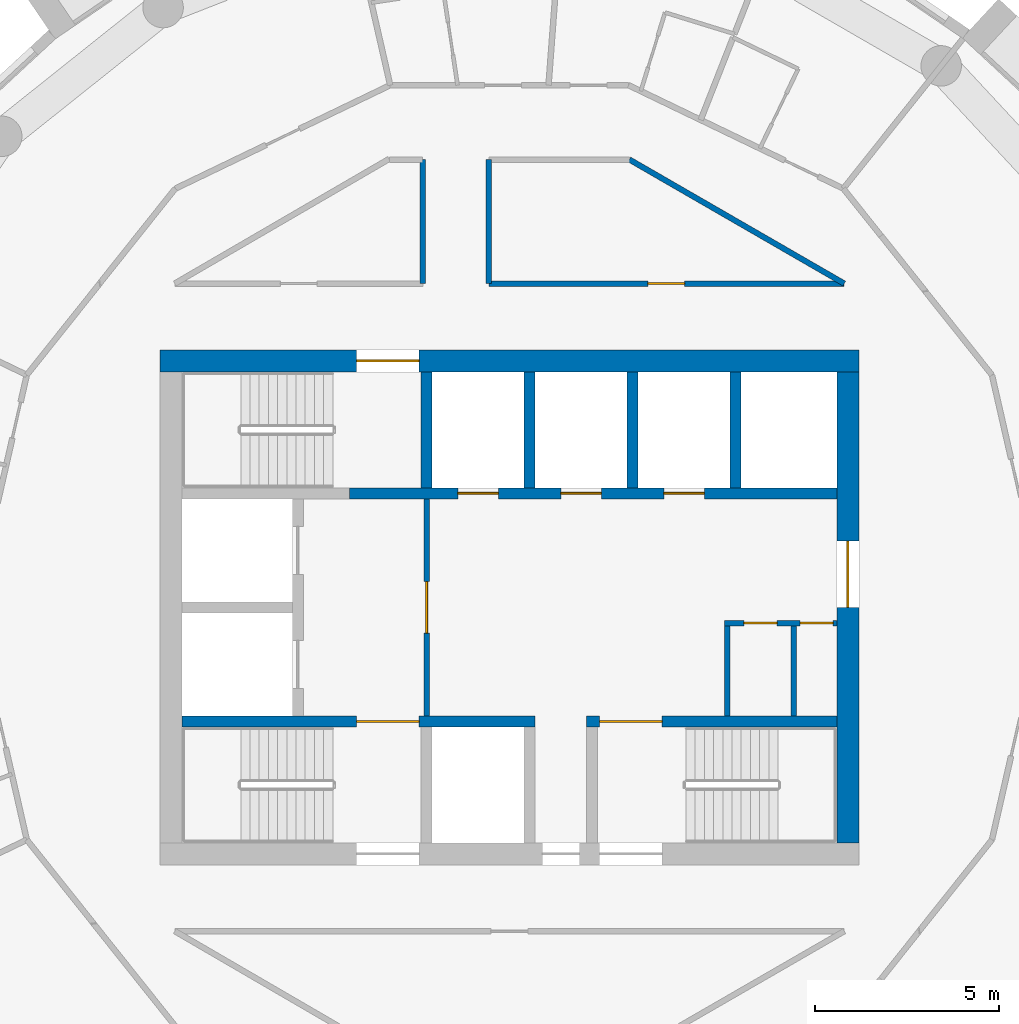
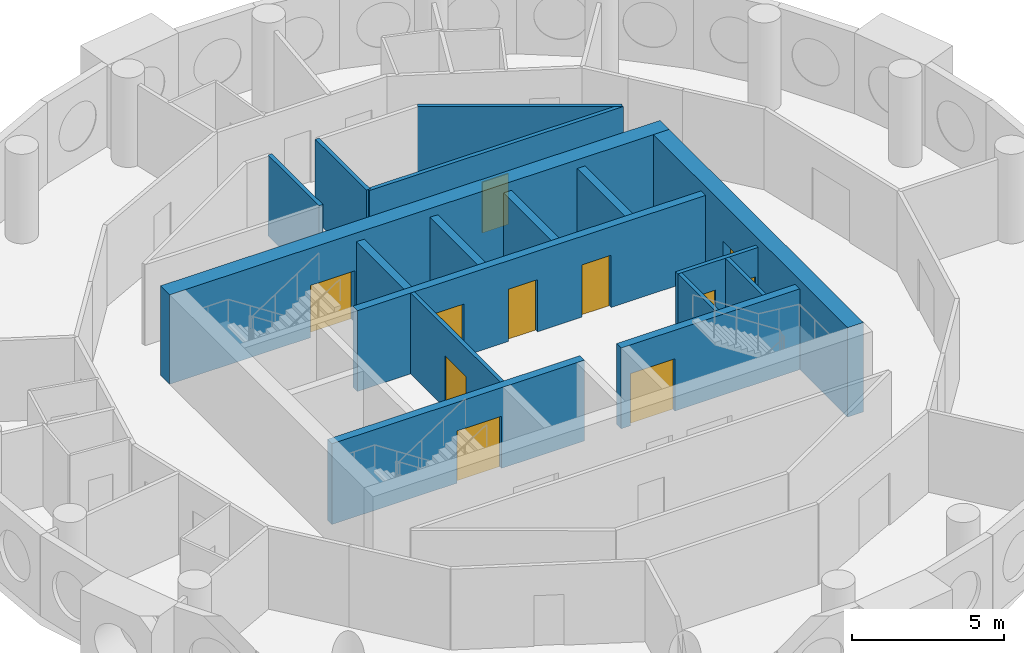
# One storey, part 7 of 12: 17 walls, 11 doors, 11 openings.
"""IFC4 building model written with IfcOpenShell, lengths in metres."""

from ifc_helpers import new_model, si_unit, direction, frame, frame_2d, origin, place, context, subcontext, project, spatial, rectangle, extrude, material, layer, layer_set, type_object, element, fill, save


model = new_model("IFC4")

# Units and contexts
model_context = context("Model", 3, precision=1e-05, world=origin(), true_north=direction((0.0, 1.0)))
body_context = subcontext(model_context, "Body", "Model", "MODEL_VIEW")
ifc_project = project(units=[si_unit("LENGTHUNIT", "METRE"), si_unit("AREAUNIT", "SQUARE_METRE"), si_unit("VOLUMEUNIT", "CUBIC_METRE"), si_unit("PLANEANGLEUNIT", "RADIAN"), si_unit("MASSUNIT", "GRAM", prefix="KILO")], contexts=[model_context])

# Site, building, storey
site_placement = place(None, origin())
site = spatial("IfcSite", under=ifc_project, at=site_placement, CompositionType="ELEMENT")
building_placement = place(site_placement, origin())
building = spatial("IfcBuilding", under=site, at=building_placement, Name="Tracery Tower", CompositionType="ELEMENT")
storey_placement = place(building_placement, frame((0.0, 0.0, 241.800048828125)))
storey = spatial("IfcBuildingStorey", under=building, at=storey_placement, Name="L62", CompositionType="ELEMENT", Elevation=241.800048828125)

# Wall, opening, door
ifc_material_1 = material(Name="Plasterboard on steel studs", Category="steel")
ifc_layer_1 = layer(ifc_material_1, 0.14990234375)
ifc_layer_set_1 = layer_set([ifc_layer_1], Name="Core lobby partition 150")
wall_type_1 = type_object("IfcWallType", Name="Core lobby partition 150", PredefinedType="SOLIDWALL", material=ifc_layer_set_1)
wall_1_placement = place(storey_placement, frame((-2.25, -2.949951171875, 0.0), z_axis=(0.0, 0.0, 1.0), x_axis=(0.0, 1.0, 0.0)))
wall_1 = element("IfcWall", 1, at=wall_1_placement, inside=storey, type_object=wall_type_1, Name="L62 FF lobby E", PredefinedType="SOLIDWALL", context=body_context, shape_type="SweptSolid", body=[
    extrude(rectangle(XDim=5.89990234375, YDim=0.14990234375, at=frame_2d((2.949951171875, 0.0))), origin(), (0.0, 0.0, 1.0), 3.25),
])
opening_1_placement = place(wall_1_placement, frame((2.25, 0.0, 0.0)))
opening_1 = element("IfcOpeningElement", 2, at=opening_1_placement, cuts=wall_1, Name="Opening KD8", PredefinedType="OPENING", context=body_context, shape_type="SweptSolid", body=[
    extrude(rectangle(XDim=1.39990234375, YDim=2.10009765625, at=frame_2d((0.699951171875, 1.050048828125))), frame((0.0, 0.074951171875, 0.0), z_axis=(0.0, -1.0, 0.0), x_axis=(1.0, 0.0, 0.0)), (0.0, 0.0, 1.0), 0.14990234375),
])
ifc_material_2 = material(Name="Steel fire door", Category="steel")
door_type_1 = type_object("IfcDoorType", Name="Core lobby door 1400 double", OperationType="NOTDEFINED", PredefinedType="DOOR", material=ifc_material_2)
door_1_placement = place(opening_1_placement, origin())
door_1 = element("IfcDoor", 3, at=door_1_placement, inside=storey, type_object=door_type_1, Name="Fire-fighting lobby door", OperationType="DOUBLE_DOOR_SINGLE_SWING", OverallHeight=2.10009765625, OverallWidth=1.39990234375, PredefinedType="DOOR", context=body_context, shape_type="SweptSolid", body=[
    extrude(rectangle(XDim=1.39990234375, YDim=2.10009765625, at=frame_2d((0.699951171875, 1.050048828125))), frame((0.0, 0.02490234375, 0.0), z_axis=(0.0, -1.0, 0.0), x_axis=(1.0, 0.0, 0.0)), (0.0, 0.0, 1.0), 0.050048828125),
])
fill(opening_1, door_1)

# Wall
ifc_material_3 = material(Name="Plasterboard on steel studs", Category="steel")
ifc_layer_2 = layer(ifc_material_3, 0.14990234375)
ifc_layer_set_2 = layer_set([ifc_layer_2], Name="Core room partition 150")
wall_type_2 = type_object("IfcWallType", Name="Core room partition 150", PredefinedType="SOLIDWALL", material=ifc_layer_set_2)
wall_2_placement = place(storey_placement, frame((5.925048828125, -2.949951171875, 0.0), z_axis=(0.0, 0.0, 1.0), x_axis=(0.0, 1.0, 0.0)))
element("IfcWall", 4, at=wall_2_placement, inside=storey, type_object=wall_type_2, Name="L62 slot W", PredefinedType="SOLIDWALL", context=body_context, shape_type="SweptSolid", body=[
    extrude(rectangle(XDim=2.449951171875, YDim=0.14990234375, at=frame_2d((1.22509765625, 0.0))), origin(), (0.0, 0.0, 1.0), 3.25),
])

# Wall, openings, doors
wall_3_placement = place(storey_placement, frame((5.85009765625, -0.425048828125, 0.0), z_axis=(0.0, 0.0, 1.0), x_axis=(1.0, 0.0, 0.0)))
wall_3 = element("IfcWall", 5, at=wall_3_placement, inside=storey, type_object=wall_type_2, Name="L62 slot N", PredefinedType="SOLIDWALL", context=body_context, shape_type="SweptSolid", body=[
    extrude(rectangle(XDim=3.0498046875, YDim=0.14990234375, at=frame_2d((1.52490234375, 0.0))), origin(), (0.0, 0.0, 1.0), 3.25),
])
opening_2_placement = place(wall_3_placement, frame((0.52490234375, 0.0, 0.0)))
opening_2 = element("IfcOpeningElement", 6, at=opening_2_placement, cuts=wall_3, Name="Opening KD22", PredefinedType="OPENING", context=body_context, shape_type="SweptSolid", body=[
    extrude(rectangle(XDim=0.89990234375, YDim=2.10009765625, at=frame_2d((0.449951171875, 1.050048828125))), frame((0.0, 0.074951171875, 0.0), z_axis=(0.0, -1.0, 0.0), x_axis=(1.0, 0.0, 0.0)), (0.0, 0.0, 1.0), 0.14990234375),
])
opening_3_placement = place(wall_3_placement, frame((2.050048828125, 0.0, 0.0)))
opening_3 = element("IfcOpeningElement", 7, at=opening_3_placement, cuts=wall_3, Name="Opening KD26", PredefinedType="OPENING", context=body_context, shape_type="SweptSolid", body=[
    extrude(rectangle(XDim=0.89990234375, YDim=2.10009765625, at=frame_2d((0.449951171875, 1.050048828125))), frame((0.0, 0.074951171875, 0.0), z_axis=(0.0, -1.0, 0.0), x_axis=(1.0, 0.0, 0.0)), (0.0, 0.0, 1.0), 0.14990234375),
])
ifc_material_4 = material(Name="Timber door leaf", Category="wood")
door_type_2 = type_object("IfcDoorType", Name="Core WC door 900", OperationType="NOTDEFINED", PredefinedType="DOOR", material=ifc_material_4)
door_2_placement = place(opening_2_placement, origin())
door_2 = element("IfcDoor", 8, at=door_2_placement, inside=storey, type_object=door_type_2, Name="Core door", OperationType="SINGLE_SWING_RIGHT", OverallHeight=2.10009765625, OverallWidth=0.89990234375, PredefinedType="DOOR", context=body_context, shape_type="SweptSolid", body=[
    extrude(rectangle(XDim=0.89990234375, YDim=2.10009765625, at=frame_2d((0.449951171875, 1.050048828125))), frame((0.0, 0.02490234375, 0.0), z_axis=(0.0, -1.0, 0.0), x_axis=(1.0, 0.0, 0.0)), (0.0, 0.0, 1.0), 0.050048828125),
])
fill(opening_2, door_2)
ifc_material_5 = material(Name="Timber door leaf", Category="wood")
door_type_3 = type_object("IfcDoorType", Name="Core store door 900", OperationType="NOTDEFINED", PredefinedType="DOOR", material=ifc_material_5)
door_3_placement = place(opening_3_placement, origin())
door_3 = element("IfcDoor", 9, at=door_3_placement, inside=storey, type_object=door_type_3, Name="Core door", OperationType="SINGLE_SWING_LEFT", OverallHeight=2.10009765625, OverallWidth=0.89990234375, PredefinedType="DOOR", context=body_context, shape_type="SweptSolid", body=[
    extrude(rectangle(XDim=0.89990234375, YDim=2.10009765625, at=frame_2d((0.449951171875, 1.050048828125))), frame((0.0, 0.02490234375, 0.0), z_axis=(0.0, -1.0, 0.0), x_axis=(1.0, 0.0, 0.0)), (0.0, 0.0, 1.0), 0.050048828125),
])
fill(opening_3, door_3)

# Wall
wall_4_placement = place(storey_placement, frame((7.72509765625, -2.949951171875, 0.0), z_axis=(0.0, 0.0, 1.0), x_axis=(0.0, 1.0, 0.0)))
element("IfcWall", 10, at=wall_4_placement, inside=storey, type_object=wall_type_2, Name="L62 slot sep 1", PredefinedType="SOLIDWALL", context=body_context, shape_type="SweptSolid", body=[
    extrude(rectangle(XDim=2.449951171875, YDim=0.14990234375, at=frame_2d((1.22509765625, 0.0))), origin(), (0.0, 0.0, 1.0), 3.25),
])

# Wall, opening, door
ifc_material_6 = material(Name="Concrete C40/50", Category="concrete")
ifc_layer_3 = layer(ifc_material_6, 0.60009765625)
ifc_layer_set_3 = layer_set([ifc_layer_3], Name="Core wall 600 C40")
wall_type_3 = type_object("IfcWallType", Name="Core wall 600 C40", PredefinedType="SOLIDWALL", material=ifc_layer_set_3)
wall_5_placement = place(storey_placement, frame((-9.5, 6.699951171875, 0.0), z_axis=(0.0, 0.0, 1.0), x_axis=(1.0, 0.0, 0.0)))
wall_5 = element("IfcWall", 11, at=wall_5_placement, inside=storey, type_object=wall_type_3, Name="L62 outer N", PredefinedType="SOLIDWALL", context=body_context, shape_type="SweptSolid", body=[
    extrude(rectangle(XDim=19.0, YDim=0.60009765625, at=frame_2d((9.5, 0.0))), origin(), (0.0, 0.0, 1.0), 3.599853515625),
])
opening_4_placement = place(wall_5_placement, frame((5.35009765625, 0.0, 0.0)))
opening_4 = element("IfcOpeningElement", 12, at=opening_4_placement, cuts=wall_5, Name="Opening KD3", PredefinedType="OPENING", context=body_context, shape_type="SweptSolid", body=[
    extrude(rectangle(XDim=1.699951171875, YDim=2.10009765625, at=frame_2d((0.85009765625, 1.050048828125))), frame((0.0, 0.300048828125, 0.0), z_axis=(0.0, -1.0, 0.0), x_axis=(1.0, 0.0, 0.0)), (0.0, 0.0, 1.0), 0.60009765625),
])
ifc_material_7 = material(Name="Steel fire door", Category="steel")
door_type_4 = type_object("IfcDoorType", Name="Core stair door 1700 double", OperationType="NOTDEFINED", PredefinedType="DOOR", material=ifc_material_7)
door_4_placement = place(opening_4_placement, origin())
door_4 = element("IfcDoor", 13, at=door_4_placement, inside=storey, type_object=door_type_4, Name="Stair door ST3 exit", OperationType="DOUBLE_DOOR_SINGLE_SWING", OverallHeight=2.10009765625, OverallWidth=1.699951171875, PredefinedType="DOOR", context=body_context, shape_type="SweptSolid", body=[
    extrude(rectangle(XDim=1.699951171875, YDim=2.10009765625, at=frame_2d((0.85009765625, 1.050048828125))), frame((0.0, 0.02490234375, 0.0), z_axis=(0.0, -1.0, 0.0), x_axis=(1.0, 0.0, 0.0)), (0.0, 0.0, 1.0), 0.050048828125),
])
fill(opening_4, door_4)

wall_6_placement = place(storey_placement, frame((9.199951171875, -6.39990234375, 0.0), z_axis=(0.0, 0.0, 1.0), x_axis=(0.0, 1.0, 0.0)))
wall_6 = element("IfcWall", 14, at=wall_6_placement, inside=storey, type_object=wall_type_3, Name="L62 outer E", PredefinedType="SOLIDWALL", context=body_context, shape_type="SweptSolid", body=[
    extrude(rectangle(XDim=12.7998046875, YDim=0.60009765625, at=frame_2d((6.39990234375, 0.0))), origin(), (0.0, 0.0, 1.0), 3.599853515625),
])
opening_5_placement = place(wall_6_placement, frame((6.39990234375, 0.0, 0.0)))
opening_5 = element("IfcOpeningElement", 15, at=opening_5_placement, cuts=wall_6, Name="Opening KD13", PredefinedType="OPENING", context=body_context, shape_type="SweptSolid", body=[
    extrude(rectangle(XDim=1.800048828125, YDim=2.10009765625, at=frame_2d((0.89990234375, 1.050048828125))), frame((0.0, 0.300048828125, 0.0), z_axis=(0.0, -1.0, 0.0), x_axis=(1.0, 0.0, 0.0)), (0.0, 0.0, 1.0), 0.60009765625),
])
ifc_material_8 = material(Name="Steel fire door", Category="steel")
door_type_5 = type_object("IfcDoorType", Name="Core exit door 1800 double", OperationType="NOTDEFINED", PredefinedType="DOOR", material=ifc_material_8)
door_5_placement = place(opening_5_placement, origin())
door_5 = element("IfcDoor", 16, at=door_5_placement, inside=storey, type_object=door_type_5, Name="Core exit door", OperationType="DOUBLE_DOOR_SINGLE_SWING", OverallHeight=2.10009765625, OverallWidth=1.800048828125, PredefinedType="DOOR", context=body_context, shape_type="SweptSolid", body=[
    extrude(rectangle(XDim=1.800048828125, YDim=2.10009765625, at=frame_2d((0.89990234375, 1.050048828125))), frame((0.0, 0.02490234375, 0.0), z_axis=(0.0, -1.0, 0.0), x_axis=(1.0, 0.0, 0.0)), (0.0, 0.0, 1.0), 0.050048828125),
])
fill(opening_5, door_5)

ifc_material_9 = material(Name="Plasterboard on steel studs", Category="steel")
ifc_layer_4 = layer(ifc_material_9, 0.14990234375)
ifc_layer_set_4 = layer_set([ifc_layer_4], Name="Partition 150 corridor wall")
wall_type_4 = type_object("IfcWallType", Name="Partition 150 corridor wall", PredefinedType="PARTITIONING", material=ifc_layer_set_4)
wall_7_placement = place(storey_placement, frame((-0.56005859375, 8.800048828125, 0.0), z_axis=(0.0, 0.0, 1.0), x_axis=(1.0, 0.0, 0.0)))
wall_7 = element("IfcWall", 17, at=wall_7_placement, inside=storey, type_object=wall_type_4, Name="Corridor wall RC2-003", PredefinedType="PARTITIONING", context=body_context, shape_type="SweptSolid", body=[
    extrude(rectangle(XDim=9.66064453125, YDim=0.14990234375, at=frame_2d((4.830322265625, 0.0))), origin(), (0.0, 0.0, 1.0), 3.25),
])
opening_6_placement = place(wall_7_placement, frame((4.325927734375, 0.0, 0.0)))
opening_6 = element("IfcOpeningElement", 18, at=opening_6_placement, cuts=wall_7, Name="Opening RC2-02", PredefinedType="OPENING", context=body_context, shape_type="SweptSolid", body=[
    extrude(rectangle(XDim=1.0, YDim=2.0400390625, at=frame_2d((0.5, 1.02001953125))), frame((0.0, 0.074951171875, 0.0), z_axis=(0.0, -1.0, 0.0), x_axis=(1.0, 0.0, 0.0)), (0.0, 0.0, 1.0), 0.14990234375),
])
ifc_material_10 = material(Name="Timber door leaf", Category="wood")
door_type_6 = type_object("IfcDoorType", Name="Door communal room 1000", OperationType="NOTDEFINED", PredefinedType="DOOR", material=ifc_material_10)
door_6_placement = place(opening_6_placement, origin())
door_6 = element("IfcDoor", 19, at=door_6_placement, inside=storey, type_object=door_type_6, Name="Communal room door RC2-02", OperationType="SINGLE_SWING_LEFT", OverallHeight=2.0400390625, OverallWidth=1.0, PredefinedType="DOOR", context=body_context, shape_type="SweptSolid", body=[
    extrude(rectangle(XDim=1.0, YDim=2.0400390625, at=frame_2d((0.5, 1.02001953125))), frame((0.0, 0.02490234375, 0.0), z_axis=(0.0, -1.0, 0.0), x_axis=(1.0, 0.0, 0.0)), (0.0, 0.0, 1.0), 0.050048828125),
])
fill(opening_6, door_6)

# Walls
wall_8_placement = place(storey_placement, frame((-2.35595703125, 8.800048828125, 0.0), z_axis=(0.0, 0.0, 1.0), x_axis=(0.0, 1.0, 0.0)))
element("IfcWall", 20, at=wall_8_placement, inside=storey, type_object=wall_type_4, Name="Corridor wall RC2-024", PredefinedType="PARTITIONING", context=body_context, shape_type="SweptSolid", body=[
    extrude(rectangle(XDim=3.370849609375, YDim=0.14990234375, at=frame_2d((1.685546875, 0.0))), origin(), (0.0, 0.0, 1.0), 3.25),
])
wall_9_placement = place(storey_placement, frame((3.260986328125, 12.1708984375, 0.0), z_axis=(0.0, 0.0, 1.0), x_axis=(0.866066809554, -0.499928276245, 0.0)))
element("IfcWall", 21, at=wall_9_placement, inside=storey, type_object=wall_type_4, Name="Corridor wall RC2-026", PredefinedType="PARTITIONING", context=body_context, shape_type="SweptSolid", body=[
    extrude(rectangle(XDim=6.74267578125, YDim=0.14990234375, at=frame_2d((3.371337890625, 0.0))), origin(), (0.0, 0.0, 1.0), 3.25),
])
wall_10_placement = place(storey_placement, frame((-0.555908203125, 8.800048828125, 0.0), z_axis=(0.0, 0.0, 1.0), x_axis=(0.0, 1.0, 0.0)))
element("IfcWall", 22, at=wall_10_placement, inside=storey, type_object=wall_type_4, Name="Corridor wall RC2-028", PredefinedType="PARTITIONING", context=body_context, shape_type="SweptSolid", body=[
    extrude(rectangle(XDim=3.370849609375, YDim=0.14990234375, at=frame_2d((1.685546875, 0.0))), origin(), (0.0, 0.0, 1.0), 3.25),
])
ifc_material_11 = material(Name="Concrete C40/50", Category="concrete")
ifc_layer_5 = layer(ifc_material_11, 0.300048828125)
ifc_layer_set_5 = layer_set([ifc_layer_5], Name="Shaft wall 300 C40")
wall_type_5 = type_object("IfcWallType", Name="Shaft wall 300 C40", PredefinedType="SOLIDWALL", material=ifc_layer_set_5)
for number, where, z_axis, x_axis, name in (
    (23, (0.550048828125, 3.25, 0.0), (0.0, 0.0, 1.0), (0.0, 1.0, 0.0), "L62 HR sep 1"),
    (24, (3.35009765625, 3.25, 0.0), (0.0, 0.0, 1.0), (0.0, 1.0, 0.0), "L62 HR sep 2"),
    (25, (6.14990234375, 3.25, 0.0), (0.0, 0.0, 1.0), (0.0, 1.0, 0.0), "L62 HR sep 3"),
):
    element("IfcWall", number, at=place(storey_placement, frame(where, z_axis=z_axis, x_axis=x_axis)), inside=storey, type_object=wall_type_5, Name=name, PredefinedType="SOLIDWALL", context=body_context, shape_type="SweptSolid", body=[
        extrude(rectangle(XDim=3.14990234375, YDim=0.300048828125, at=frame_2d((1.574951171875, 0.0))), origin(), (0.0, 0.0, 1.0), 3.25),
    ])

# Wall, opening, door
ifc_material_12 = material(Name="Concrete C40/50", Category="concrete")
ifc_layer_6 = layer(ifc_material_12, 0.300048828125)
ifc_layer_set_6 = layer_set([ifc_layer_6], Name="Stair wall 300 C40")
wall_type_6 = type_object("IfcWallType", Name="Stair wall 300 C40", PredefinedType="SOLIDWALL", material=ifc_layer_set_6)
wall_11_placement = place(storey_placement, frame((-8.89990234375, -3.10009765625, 0.0), z_axis=(0.0, 0.0, 1.0), x_axis=(1.0, 0.0, 0.0)))
wall_11 = element("IfcWall", 26, at=wall_11_placement, inside=storey, type_object=wall_type_6, Name="L62 row S", PredefinedType="SOLIDWALL", context=body_context, shape_type="SweptSolid", body=[
    extrude(rectangle(XDim=9.599853515625, YDim=0.300048828125, at=frame_2d((4.7998046875, 0.0))), origin(), (0.0, 0.0, 1.0), 3.25),
])
opening_7_placement = place(wall_11_placement, frame((4.75, 0.0, 0.0)))
opening_7 = element("IfcOpeningElement", 27, at=opening_7_placement, cuts=wall_11, Name="Opening KD3", PredefinedType="OPENING", context=body_context, shape_type="SweptSolid", body=[
    extrude(rectangle(XDim=1.699951171875, YDim=2.10009765625, at=frame_2d((0.85009765625, 1.050048828125))), frame((0.0, 0.14990234375, 0.0), z_axis=(0.0, -1.0, 0.0), x_axis=(1.0, 0.0, 0.0)), (0.0, 0.0, 1.0), 0.300048828125),
])
door_7_placement = place(opening_7_placement, origin())
door_7 = element("IfcDoor", 28, at=door_7_placement, inside=storey, type_object=door_type_4, Name="Stair door ST1", OperationType="DOUBLE_DOOR_SINGLE_SWING", OverallHeight=2.10009765625, OverallWidth=1.699951171875, PredefinedType="DOOR", context=body_context, shape_type="SweptSolid", body=[
    extrude(rectangle(XDim=1.699951171875, YDim=2.10009765625, at=frame_2d((0.85009765625, 1.050048828125))), frame((0.0, 0.02490234375, 0.0), z_axis=(0.0, -1.0, 0.0), x_axis=(1.0, 0.0, 0.0)), (0.0, 0.0, 1.0), 0.050048828125),
])
fill(opening_7, door_7)

wall_12_placement = place(storey_placement, frame((2.10009765625, -3.10009765625, 0.0), z_axis=(0.0, 0.0, 1.0), x_axis=(1.0, 0.0, 0.0)))
wall_12 = element("IfcWall", 29, at=wall_12_placement, inside=storey, type_object=wall_type_6, Name="L62 row S E", PredefinedType="SOLIDWALL", context=body_context, shape_type="SweptSolid", body=[
    extrude(rectangle(XDim=6.7998046875, YDim=0.300048828125, at=frame_2d((3.39990234375, 0.0))), origin(), (0.0, 0.0, 1.0), 3.25),
])
opening_8_placement = place(wall_12_placement, frame((0.35009765625, 0.0, 0.0)))
opening_8 = element("IfcOpeningElement", 30, at=opening_8_placement, cuts=wall_12, Name="Opening KD3", PredefinedType="OPENING", context=body_context, shape_type="SweptSolid", body=[
    extrude(rectangle(XDim=1.699951171875, YDim=2.10009765625, at=frame_2d((0.85009765625, 1.050048828125))), frame((0.0, 0.14990234375, 0.0), z_axis=(0.0, -1.0, 0.0), x_axis=(1.0, 0.0, 0.0)), (0.0, 0.0, 1.0), 0.300048828125),
])
door_8_placement = place(opening_8_placement, origin())
door_8 = element("IfcDoor", 31, at=door_8_placement, inside=storey, type_object=door_type_4, Name="Stair door ST2", OperationType="DOUBLE_DOOR_SINGLE_SWING", OverallHeight=2.10009765625, OverallWidth=1.699951171875, PredefinedType="DOOR", context=body_context, shape_type="SweptSolid", body=[
    extrude(rectangle(XDim=1.699951171875, YDim=2.10009765625, at=frame_2d((0.85009765625, 1.050048828125))), frame((0.0, 0.02490234375, 0.0), z_axis=(0.0, -1.0, 0.0), x_axis=(1.0, 0.0, 0.0)), (0.0, 0.0, 1.0), 0.050048828125),
])
fill(opening_8, door_8)

# Wall, openings, doors
wall_13_placement = place(storey_placement, frame((-4.35009765625, 3.10009765625, 0.0), z_axis=(0.0, 0.0, 1.0), x_axis=(1.0, 0.0, 0.0)))
wall_13 = element("IfcWall", 32, at=wall_13_placement, inside=storey, type_object=wall_type_6, Name="L62 row N", PredefinedType="SOLIDWALL", context=body_context, shape_type="SweptSolid", body=[
    extrude(rectangle(XDim=13.25, YDim=0.300048828125, at=frame_2d((6.625, 0.0))), origin(), (0.0, 0.0, 1.0), 3.25),
])
opening_9_placement = place(wall_13_placement, frame((2.949951171875, 0.0, 0.0)))
opening_9 = element("IfcOpeningElement", 33, at=opening_9_placement, cuts=wall_13, Name="Opening KD49", PredefinedType="OPENING", context=body_context, shape_type="SweptSolid", body=[
    extrude(rectangle(XDim=1.10009765625, YDim=2.10009765625, at=frame_2d((0.550048828125, 1.050048828125))), frame((0.0, 0.14990234375, 0.0), z_axis=(0.0, -1.0, 0.0), x_axis=(1.0, 0.0, 0.0)), (0.0, 0.0, 1.0), 0.300048828125),
])
opening_10_placement = place(wall_13_placement, frame((5.75, 0.0, 0.0)))
opening_10 = element("IfcOpeningElement", 34, at=opening_10_placement, cuts=wall_13, Name="Opening KD50", PredefinedType="OPENING", context=body_context, shape_type="SweptSolid", body=[
    extrude(rectangle(XDim=1.10009765625, YDim=2.10009765625, at=frame_2d((0.550048828125, 1.050048828125))), frame((0.0, 0.14990234375, 0.0), z_axis=(0.0, -1.0, 0.0), x_axis=(1.0, 0.0, 0.0)), (0.0, 0.0, 1.0), 0.300048828125),
])
opening_11_placement = place(wall_13_placement, frame((8.550048828125, 0.0, 0.0)))
opening_11 = element("IfcOpeningElement", 35, at=opening_11_placement, cuts=wall_13, Name="Opening KD49", PredefinedType="OPENING", context=body_context, shape_type="SweptSolid", body=[
    extrude(rectangle(XDim=1.10009765625, YDim=2.10009765625, at=frame_2d((0.550048828125, 1.050048828125))), frame((0.0, 0.14990234375, 0.0), z_axis=(0.0, -1.0, 0.0), x_axis=(1.0, 0.0, 0.0)), (0.0, 0.0, 1.0), 0.300048828125),
])
ifc_material_13 = material(Name="Steel fire door", Category="steel")
door_type_7 = type_object("IfcDoorType", Name="Landing door 1100", OperationType="NOTDEFINED", PredefinedType="DOOR", material=ifc_material_13)
door_9_placement = place(opening_9_placement, origin())
door_9 = element("IfcDoor", 36, at=door_9_placement, inside=storey, type_object=door_type_7, Name="Landing door HR1", OperationType="SLIDING_TO_LEFT", OverallHeight=2.10009765625, OverallWidth=1.10009765625, PredefinedType="DOOR", context=body_context, shape_type="SweptSolid", body=[
    extrude(rectangle(XDim=1.10009765625, YDim=2.10009765625, at=frame_2d((0.550048828125, 1.050048828125))), frame((0.0, 0.02490234375, 0.0), z_axis=(0.0, -1.0, 0.0), x_axis=(1.0, 0.0, 0.0)), (0.0, 0.0, 1.0), 0.050048828125),
])
fill(opening_9, door_9)
door_10_placement = place(opening_10_placement, origin())
door_10 = element("IfcDoor", 37, at=door_10_placement, inside=storey, type_object=door_type_7, Name="Landing door HR2", OperationType="SLIDING_TO_RIGHT", OverallHeight=2.10009765625, OverallWidth=1.10009765625, PredefinedType="DOOR", context=body_context, shape_type="SweptSolid", body=[
    extrude(rectangle(XDim=1.10009765625, YDim=2.10009765625, at=frame_2d((0.550048828125, 1.050048828125))), frame((0.0, 0.02490234375, 0.0), z_axis=(0.0, -1.0, 0.0), x_axis=(1.0, 0.0, 0.0)), (0.0, 0.0, 1.0), 0.050048828125),
])
fill(opening_10, door_10)
door_11_placement = place(opening_11_placement, origin())
door_11 = element("IfcDoor", 38, at=door_11_placement, inside=storey, type_object=door_type_7, Name="Landing door HR3", OperationType="SLIDING_TO_LEFT", OverallHeight=2.10009765625, OverallWidth=1.10009765625, PredefinedType="DOOR", context=body_context, shape_type="SweptSolid", body=[
    extrude(rectangle(XDim=1.10009765625, YDim=2.10009765625, at=frame_2d((0.550048828125, 1.050048828125))), frame((0.0, 0.02490234375, 0.0), z_axis=(0.0, -1.0, 0.0), x_axis=(1.0, 0.0, 0.0)), (0.0, 0.0, 1.0), 0.050048828125),
])
fill(opening_11, door_11)

# Wall
wall_14_placement = place(storey_placement, frame((-2.25, 3.25, 0.0), z_axis=(0.0, 0.0, 1.0), x_axis=(0.0, 1.0, 0.0)))
element("IfcWall", 39, at=wall_14_placement, inside=storey, type_object=wall_type_6, Name="L62 ST3 E", PredefinedType="SOLIDWALL", context=body_context, shape_type="SweptSolid", body=[
    extrude(rectangle(XDim=3.14990234375, YDim=0.300048828125, at=frame_2d((1.574951171875, 0.0))), origin(), (0.0, 0.0, 1.0), 3.25),
])

save(model, "model.ifc")
